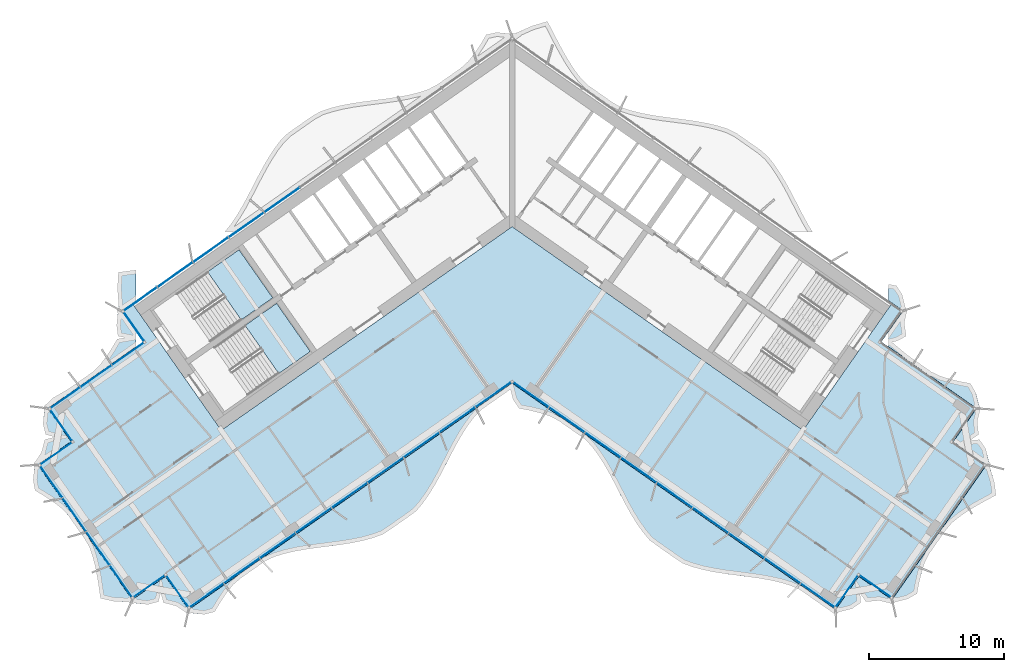
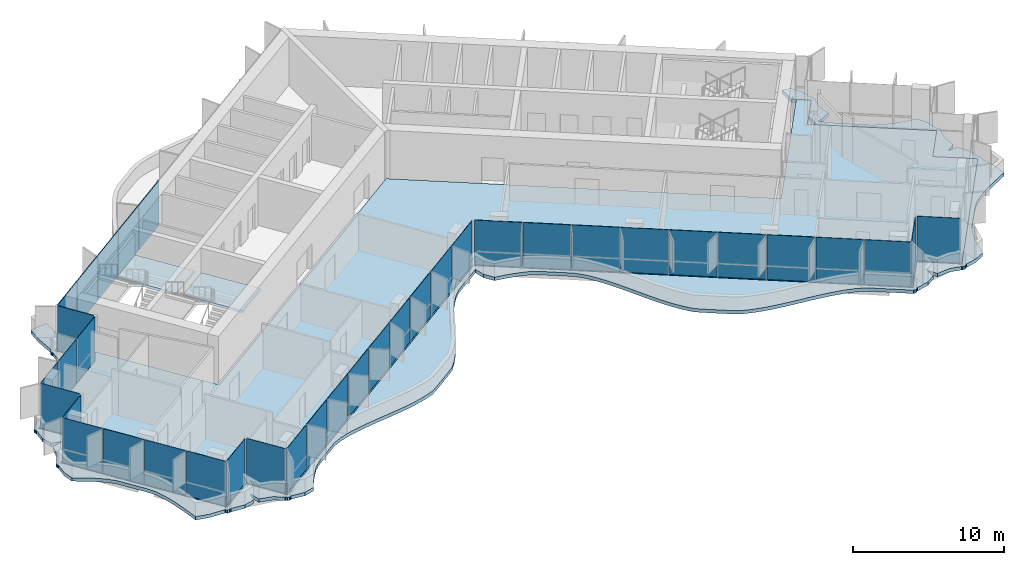
# One storey, part 10 of 21: 37 plates, 4 slabs, 4 elements without a shape of their own.
"""IFC4 building model written with IfcOpenShell, lengths in metres."""

from ifc_helpers import new_model, si_unit, direction, frame, origin, origin_2d, place, context, subcontext, project, spatial, polyline, rectangle, outline, extrude, material, layer, layer_set, type_object, element, aggregate, save


model = new_model("IFC4")

# Units and contexts
model_context = context("Model", 3, precision=1e-05, world=origin(), true_north=direction((0.0, 1.0)))
body_context = subcontext(model_context, "Body", "Model", "MODEL_VIEW")
ifc_project = project(units=[si_unit("LENGTHUNIT", "METRE"), si_unit("AREAUNIT", "SQUARE_METRE"), si_unit("VOLUMEUNIT", "CUBIC_METRE"), si_unit("PLANEANGLEUNIT", "RADIAN"), si_unit("MASSUNIT", "GRAM", prefix="KILO")], contexts=[model_context])

# Site, building, storey
site_placement = place(None, origin())
site = spatial("IfcSite", under=ifc_project, at=site_placement, CompositionType="ELEMENT")
building_placement = place(site_placement, origin())
building = spatial("IfcBuilding", under=site, at=building_placement, Name="Tel Ilan Convention Tower", CompositionType="ELEMENT")
storey_placement = place(building_placement, frame((0.0, 0.0, 210.0)))
storey = spatial("IfcBuildingStorey", under=building, at=storey_placement, Name="L49", CompositionType="ELEMENT", Elevation=210.0)

# Curtain wall, plates
ifc_material_1 = material(Name="Aluminium, bronze anodised", Category="aluminium")
curtain_wall_type_1 = type_object("IfcCurtainWallType", Name="CW4 STICK CURTAIN WALL, OFFICE TINTED GLASS", PredefinedType="NOTDEFINED", material=ifc_material_1)
curtain_wall_1_placement = place(storey_placement, origin())
curtain_wall_1 = element("IfcCurtainWall", 1, at=curtain_wall_1_placement, inside=storey, type_object=curtain_wall_type_1, Name="Curtain wall CW4-38.02", PredefinedType="NOTDEFINED")
ifc_material_2 = material(Name="Glass, bronze tinted, two-ply", Category="glass")
ifc_layer_1 = layer(ifc_material_2, 0.028076171875)
ifc_layer_set_1 = layer_set([ifc_layer_1], Name="CW GLASS PANEL 28")
plate_type_1 = type_object("IfcPlateType", Name="CW GLASS PANEL 28", PredefinedType="CURTAIN_PANEL", material=ifc_layer_set_1)
plate_1_placement = place(storey_placement, frame((-28.457763671875, -10.6484375, 0.0), z_axis=(0.0, 0.0, 1.0), x_axis=(-0.819152044289, -0.573576436351, 0.0)))
plate_1 = element("IfcPlate", 2, at=plate_1_placement, type_object=plate_type_1, Name="Glass panel", PredefinedType="CURTAIN_PANEL", context=body_context, shape_type="SweptSolid", body=[
    extrude(rectangle(XDim=2.835693359375, YDim=0.028076171875, at=origin_2d()), origin(), (0.0, 0.0, 1.0), 3.6201171875),
])
plate_2_placement = place(storey_placement, frame((-30.81787109375, -12.301025390625, 0.0), z_axis=(0.0, 0.0, 1.0), x_axis=(-0.819152044289, -0.573576436351, 0.0)))
plate_2 = element("IfcPlate", 3, at=plate_2_placement, type_object=plate_type_1, Name="Glass panel", PredefinedType="CURTAIN_PANEL", context=body_context, shape_type="SweptSolid", body=[
    extrude(rectangle(XDim=2.806640625, YDim=0.028076171875, at=origin_2d()), origin(), (0.0, 0.0, 1.0), 3.6201171875),
])
plate_3_placement = place(storey_placement, frame((-33.12744140625, -13.918212890625, 0.0), z_axis=(0.0, 0.0, 1.0), x_axis=(-0.819152044289, -0.573576436351, 0.0)))
plate_3 = element("IfcPlate", 4, at=plate_3_placement, type_object=plate_type_1, Name="Glass panel", PredefinedType="CURTAIN_PANEL", context=body_context, shape_type="SweptSolid", body=[
    extrude(rectangle(XDim=2.712646484375, YDim=0.028076171875, at=origin_2d()), origin(), (0.0, 0.0, 1.0), 3.6201171875),
])
plate_4_placement = place(storey_placement, frame((-33.419921875, -15.9072265625, 0.0), z_axis=(0.0, 0.0, 1.0), x_axis=(0.573576436351, -0.819152044289, 0.0)))
plate_4 = element("IfcPlate", 5, at=plate_4_placement, type_object=plate_type_1, Name="Glass panel", PredefinedType="CURTAIN_PANEL", context=body_context, shape_type="SweptSolid", body=[
    extrude(rectangle(XDim=2.875, YDim=0.028076171875, at=origin_2d()), origin(), (0.0, 0.0, 1.0), 3.6201171875),
])
plate_5_placement = place(storey_placement, frame((-33.7978515625, -18.0498046875, 0.0), z_axis=(0.0, 0.0, 1.0), x_axis=(-0.819152044289, -0.573576436351, 0.0)))
plate_5 = element("IfcPlate", 6, at=plate_5_placement, type_object=plate_type_1, Name="Glass panel", PredefinedType="CURTAIN_PANEL", context=body_context, shape_type="SweptSolid", body=[
    extrude(rectangle(XDim=2.875, YDim=0.028076171875, at=origin_2d()), origin(), (0.0, 0.0, 1.0), 3.6201171875),
])
plate_6_placement = place(storey_placement, frame((-34.150634765625, -20.093994140625, 0.0), z_axis=(0.0, 0.0, 1.0), x_axis=(0.573576436351, -0.819152044289, 0.0)))
plate_6 = element("IfcPlate", 7, at=plate_6_placement, type_object=plate_type_1, Name="Glass panel", PredefinedType="CURTAIN_PANEL", context=body_context, shape_type="SweptSolid", body=[
    extrude(rectangle(XDim=2.89599609375, YDim=0.028076171875, at=origin_2d()), origin(), (0.0, 0.0, 1.0), 3.6201171875),
])
plate_7_placement = place(storey_placement, frame((-32.42822265625, -22.553955078125, 0.0), z_axis=(0.0, 0.0, 1.0), x_axis=(0.573576436351, -0.819152044289, 0.0)))
plate_7 = element("IfcPlate", 8, at=plate_7_placement, type_object=plate_type_1, Name="Glass panel", PredefinedType="CURTAIN_PANEL", context=body_context, shape_type="SweptSolid", body=[
    extrude(rectangle(XDim=2.989990234375, YDim=0.028076171875, at=origin_2d()), origin(), (0.0, 0.0, 1.0), 3.6201171875),
])
plate_8_placement = place(storey_placement, frame((-30.6787109375, -25.05224609375, 0.0), z_axis=(0.0, 0.0, 1.0), x_axis=(0.573576436351, -0.819152044289, 0.0)))
plate_8 = element("IfcPlate", 9, at=plate_8_placement, type_object=plate_type_1, Name="Glass panel", PredefinedType="CURTAIN_PANEL", context=body_context, shape_type="SweptSolid", body=[
    extrude(rectangle(XDim=2.989990234375, YDim=0.028076171875, at=origin_2d()), origin(), (0.0, 0.0, 1.0), 3.6201171875),
])
plate_9_placement = place(storey_placement, frame((-28.956298828125, -27.51220703125, 0.0), z_axis=(0.0, 0.0, 1.0), x_axis=(0.573576436351, -0.819152044289, 0.0)))
plate_9 = element("IfcPlate", 10, at=plate_9_placement, type_object=plate_type_1, Name="Glass panel", PredefinedType="CURTAIN_PANEL", context=body_context, shape_type="SweptSolid", body=[
    extrude(rectangle(XDim=2.89599609375, YDim=0.028076171875, at=origin_2d()), origin(), (0.0, 0.0, 1.0), 3.6201171875),
])
plate_10_placement = place(storey_placement, frame((-26.914794921875, -27.879638671875, 0.0), z_axis=(0.0, 0.0, 1.0), x_axis=(0.819152044289, 0.573576436351, 0.0)))
plate_10 = element("IfcPlate", 11, at=plate_10_placement, type_object=plate_type_1, Name="Glass panel", PredefinedType="CURTAIN_PANEL", context=body_context, shape_type="SweptSolid", body=[
    extrude(rectangle(XDim=2.875, YDim=0.028076171875, at=origin_2d()), origin(), (0.0, 0.0, 1.0), 3.6201171875),
])
plate_11_placement = place(storey_placement, frame((-24.772216796875, -28.257568359375, 0.0), z_axis=(0.0, 0.0, 1.0), x_axis=(0.573576436351, -0.819152044289, 0.0)))
plate_11 = element("IfcPlate", 12, at=plate_11_placement, type_object=plate_type_1, Name="Glass panel", PredefinedType="CURTAIN_PANEL", context=body_context, shape_type="SweptSolid", body=[
    extrude(rectangle(XDim=2.875, YDim=0.028076171875, at=origin_2d()), origin(), (0.0, 0.0, 1.0), 3.6201171875),
])
plate_12_placement = place(storey_placement, frame((-22.646240234375, -28.55322265625, 0.0), z_axis=(0.0, 0.0, 1.0), x_axis=(0.819152044289, 0.573576436351, 0.0)))
plate_12 = element("IfcPlate", 13, at=plate_12_placement, type_object=plate_type_1, Name="Glass panel", PredefinedType="CURTAIN_PANEL", context=body_context, shape_type="SweptSolid", body=[
    extrude(rectangle(XDim=3.095703125, YDim=0.028076171875, at=origin_2d()), origin(), (0.0, 0.0, 1.0), 3.6201171875),
])
plate_13_placement = place(storey_placement, frame((-20.022705078125, -26.716064453125, 0.0), z_axis=(0.0, 0.0, 1.0), x_axis=(0.819152044289, 0.573576436351, 0.0)))
plate_13 = element("IfcPlate", 14, at=plate_13_placement, type_object=plate_type_1, Name="Glass panel", PredefinedType="CURTAIN_PANEL", context=body_context, shape_type="SweptSolid", body=[
    extrude(rectangle(XDim=3.189697265625, YDim=0.028076171875, at=origin_2d()), origin(), (0.0, 0.0, 1.0), 3.6201171875),
])
plate_14_placement = place(storey_placement, frame((-17.360595703125, -24.85205078125, 0.0), z_axis=(0.0, 0.0, 1.0), x_axis=(0.819152044289, 0.573576436351, 0.0)))
plate_14 = element("IfcPlate", 15, at=plate_14_placement, type_object=plate_type_1, Name="Glass panel", PredefinedType="CURTAIN_PANEL", context=body_context, shape_type="SweptSolid", body=[
    extrude(rectangle(XDim=3.189697265625, YDim=0.028076171875, at=origin_2d()), origin(), (0.0, 0.0, 1.0), 3.6201171875),
])
plate_15_placement = place(storey_placement, frame((-14.69873046875, -22.988037109375, 0.0), z_axis=(0.0, 0.0, 1.0), x_axis=(0.819152044289, 0.573576436351, 0.0)))
plate_15 = element("IfcPlate", 16, at=plate_15_placement, type_object=plate_type_1, Name="Glass panel", PredefinedType="CURTAIN_PANEL", context=body_context, shape_type="SweptSolid", body=[
    extrude(rectangle(XDim=3.189697265625, YDim=0.028076171875, at=origin_2d()), origin(), (0.0, 0.0, 1.0), 3.6201171875),
])
plate_16_placement = place(storey_placement, frame((-12.03662109375, -21.124267578125, 0.0), z_axis=(0.0, 0.0, 1.0), x_axis=(0.819152044289, 0.573576436351, 0.0)))
plate_16 = element("IfcPlate", 17, at=plate_16_placement, type_object=plate_type_1, Name="Glass panel", PredefinedType="CURTAIN_PANEL", context=body_context, shape_type="SweptSolid", body=[
    extrude(rectangle(XDim=3.189697265625, YDim=0.028076171875, at=origin_2d()), origin(), (0.0, 0.0, 1.0), 3.6201171875),
])
plate_17_placement = place(storey_placement, frame((-9.37451171875, -19.26025390625, 0.0), z_axis=(0.0, 0.0, 1.0), x_axis=(0.819152044289, 0.573576436351, 0.0)))
plate_17 = element("IfcPlate", 18, at=plate_17_placement, type_object=plate_type_1, Name="Glass panel", PredefinedType="CURTAIN_PANEL", context=body_context, shape_type="SweptSolid", body=[
    extrude(rectangle(XDim=3.189697265625, YDim=0.028076171875, at=origin_2d()), origin(), (0.0, 0.0, 1.0), 3.6201171875),
])
plate_18_placement = place(storey_placement, frame((-6.71240234375, -17.396240234375, 0.0), z_axis=(0.0, 0.0, 1.0), x_axis=(0.819152044289, 0.573576436351, 0.0)))
plate_18 = element("IfcPlate", 19, at=plate_18_placement, type_object=plate_type_1, Name="Glass panel", PredefinedType="CURTAIN_PANEL", context=body_context, shape_type="SweptSolid", body=[
    extrude(rectangle(XDim=3.189697265625, YDim=0.028076171875, at=origin_2d()), origin(), (0.0, 0.0, 1.0), 3.6201171875),
])
plate_19_placement = place(storey_placement, frame((-4.050537109375, -15.5322265625, 0.0), z_axis=(0.0, 0.0, 1.0), x_axis=(0.819152044289, 0.573576436351, 0.0)))
plate_19 = element("IfcPlate", 20, at=plate_19_placement, type_object=plate_type_1, Name="Glass panel", PredefinedType="CURTAIN_PANEL", context=body_context, shape_type="SweptSolid", body=[
    extrude(rectangle(XDim=3.189697265625, YDim=0.028076171875, at=origin_2d()), origin(), (0.0, 0.0, 1.0), 3.6201171875),
])
plate_20_placement = place(storey_placement, frame((-1.388671875, -13.66845703125, 0.0), z_axis=(0.0, 0.0, 1.0), x_axis=(0.819152044289, 0.573576436351, 0.0)))
plate_20 = element("IfcPlate", 21, at=plate_20_placement, type_object=plate_type_1, Name="Glass panel", PredefinedType="CURTAIN_PANEL", context=body_context, shape_type="SweptSolid", body=[
    extrude(rectangle(XDim=3.188720703125, YDim=0.028076171875, at=origin_2d()), origin(), (0.0, 0.0, 1.0), 3.6201171875),
])
plate_21_placement = place(storey_placement, frame((1.400390625, -13.676513671875, 0.0), z_axis=(0.0, 0.0, 1.0), x_axis=(0.819152044289, -0.573576436351, 0.0)))
plate_21 = element("IfcPlate", 22, at=plate_21_placement, type_object=plate_type_1, Name="Glass panel", PredefinedType="CURTAIN_PANEL", context=body_context, shape_type="SweptSolid", body=[
    extrude(rectangle(XDim=3.16064453125, YDim=0.028076171875, at=origin_2d()), origin(), (0.0, 0.0, 1.0), 3.6201171875),
])
plate_22_placement = place(storey_placement, frame((4.050537109375, -15.5322265625, 0.0), z_axis=(0.0, 0.0, 1.0), x_axis=(0.819152044289, -0.573576436351, 0.0)))
plate_22 = element("IfcPlate", 23, at=plate_22_placement, type_object=plate_type_1, Name="Glass panel", PredefinedType="CURTAIN_PANEL", context=body_context, shape_type="SweptSolid", body=[
    extrude(rectangle(XDim=3.189697265625, YDim=0.028076171875, at=origin_2d()), origin(), (0.0, 0.0, 1.0), 3.6201171875),
])
plate_23_placement = place(storey_placement, frame((6.71240234375, -17.396240234375, 0.0), z_axis=(0.0, 0.0, 1.0), x_axis=(0.819152044289, -0.573576436351, 0.0)))
plate_23 = element("IfcPlate", 24, at=plate_23_placement, type_object=plate_type_1, Name="Glass panel", PredefinedType="CURTAIN_PANEL", context=body_context, shape_type="SweptSolid", body=[
    extrude(rectangle(XDim=3.189697265625, YDim=0.028076171875, at=origin_2d()), origin(), (0.0, 0.0, 1.0), 3.6201171875),
])
plate_24_placement = place(storey_placement, frame((9.37451171875, -19.26025390625, 0.0), z_axis=(0.0, 0.0, 1.0), x_axis=(0.819152044289, -0.573576436351, 0.0)))
plate_24 = element("IfcPlate", 25, at=plate_24_placement, type_object=plate_type_1, Name="Glass panel", PredefinedType="CURTAIN_PANEL", context=body_context, shape_type="SweptSolid", body=[
    extrude(rectangle(XDim=3.189697265625, YDim=0.028076171875, at=origin_2d()), origin(), (0.0, 0.0, 1.0), 3.6201171875),
])
plate_25_placement = place(storey_placement, frame((12.03662109375, -21.124267578125, 0.0), z_axis=(0.0, 0.0, 1.0), x_axis=(0.819152044289, -0.573576436351, 0.0)))
plate_25 = element("IfcPlate", 26, at=plate_25_placement, type_object=plate_type_1, Name="Glass panel", PredefinedType="CURTAIN_PANEL", context=body_context, shape_type="SweptSolid", body=[
    extrude(rectangle(XDim=3.189697265625, YDim=0.028076171875, at=origin_2d()), origin(), (0.0, 0.0, 1.0), 3.6201171875),
])
plate_26_placement = place(storey_placement, frame((14.69873046875, -22.988037109375, 0.0), z_axis=(0.0, 0.0, 1.0), x_axis=(0.819152044289, -0.573576436351, 0.0)))
plate_26 = element("IfcPlate", 27, at=plate_26_placement, type_object=plate_type_1, Name="Glass panel", PredefinedType="CURTAIN_PANEL", context=body_context, shape_type="SweptSolid", body=[
    extrude(rectangle(XDim=3.189697265625, YDim=0.028076171875, at=origin_2d()), origin(), (0.0, 0.0, 1.0), 3.6201171875),
])
plate_27_placement = place(storey_placement, frame((17.360595703125, -24.85205078125, 0.0), z_axis=(0.0, 0.0, 1.0), x_axis=(0.819152044289, -0.573576436351, 0.0)))
plate_27 = element("IfcPlate", 28, at=plate_27_placement, type_object=plate_type_1, Name="Glass panel", PredefinedType="CURTAIN_PANEL", context=body_context, shape_type="SweptSolid", body=[
    extrude(rectangle(XDim=3.189697265625, YDim=0.028076171875, at=origin_2d()), origin(), (0.0, 0.0, 1.0), 3.6201171875),
])
plate_28_placement = place(storey_placement, frame((20.022705078125, -26.716064453125, 0.0), z_axis=(0.0, 0.0, 1.0), x_axis=(0.819152044289, -0.573576436351, 0.0)))
plate_28 = element("IfcPlate", 29, at=plate_28_placement, type_object=plate_type_1, Name="Glass panel", PredefinedType="CURTAIN_PANEL", context=body_context, shape_type="SweptSolid", body=[
    extrude(rectangle(XDim=3.189697265625, YDim=0.028076171875, at=origin_2d()), origin(), (0.0, 0.0, 1.0), 3.6201171875),
])
plate_29_placement = place(storey_placement, frame((22.646240234375, -28.55322265625, 0.0), z_axis=(0.0, 0.0, 1.0), x_axis=(0.819152044289, -0.573576436351, 0.0)))
plate_29 = element("IfcPlate", 30, at=plate_29_placement, type_object=plate_type_1, Name="Glass panel", PredefinedType="CURTAIN_PANEL", context=body_context, shape_type="SweptSolid", body=[
    extrude(rectangle(XDim=3.095703125, YDim=0.028076171875, at=origin_2d()), origin(), (0.0, 0.0, 1.0), 3.6201171875),
])
plate_30_placement = place(storey_placement, frame((24.772216796875, -28.257568359375, 0.0), z_axis=(0.0, 0.0, 1.0), x_axis=(0.573576436351, 0.819152044289, 0.0)))
plate_30 = element("IfcPlate", 31, at=plate_30_placement, type_object=plate_type_1, Name="Glass panel", PredefinedType="CURTAIN_PANEL", context=body_context, shape_type="SweptSolid", body=[
    extrude(rectangle(XDim=2.875, YDim=0.028076171875, at=origin_2d()), origin(), (0.0, 0.0, 1.0), 3.6201171875),
])
plate_31_placement = place(storey_placement, frame((26.914794921875, -27.879638671875, 0.0), z_axis=(0.0, 0.0, 1.0), x_axis=(0.819152044289, -0.573576436351, 0.0)))
plate_31 = element("IfcPlate", 32, at=plate_31_placement, type_object=plate_type_1, Name="Glass panel", PredefinedType="CURTAIN_PANEL", context=body_context, shape_type="SweptSolid", body=[
    extrude(rectangle(XDim=2.875, YDim=0.028076171875, at=origin_2d()), origin(), (0.0, 0.0, 1.0), 3.6201171875),
])
aggregate(curtain_wall_1, [plate_1, plate_2, plate_3, plate_4, plate_5, plate_6, plate_7, plate_8, plate_9, plate_10, plate_11, plate_12, plate_13, plate_14, plate_15, plate_16, plate_17, plate_18, plate_19, plate_20, plate_21, plate_22, plate_23, plate_24, plate_25, plate_26, plate_27, plate_28, plate_29, plate_30, plate_31])

ifc_material_3 = material(Name="Aluminium, bronze anodised", Category="aluminium")
curtain_wall_type_2 = type_object("IfcCurtainWallType", Name="CW2 STICK CURTAIN WALL, SPANDREL PANELS", PredefinedType="NOTDEFINED", material=ifc_material_3)
curtain_wall_2_placement = place(storey_placement, origin())
curtain_wall_2 = element("IfcCurtainWall", 33, at=curtain_wall_2_placement, inside=storey, type_object=curtain_wall_type_2, Name="Curtain wall CW2-38.01", PredefinedType="NOTDEFINED")
ifc_material_4 = material(Name="Aluminium composite panel, bronze anodised", Category="aluminium")
ifc_layer_2 = layer(ifc_material_4, 0.06005859375)
ifc_layer_set_2 = layer_set([ifc_layer_2], Name="CW SPANDREL PANEL 60")
plate_type_2 = type_object("IfcPlateType", Name="CW SPANDREL PANEL 60", PredefinedType="CURTAIN_PANEL", material=ifc_layer_set_2)
plate_32_placement = place(storey_placement, frame((-17.0546875, 0.754150390625, 0.0), z_axis=(0.0, 0.0, 1.0), x_axis=(-0.819152044289, -0.573576436351, 0.0)))
plate_32 = element("IfcPlate", 34, at=plate_32_placement, type_object=plate_type_2, Name="Spandrel panel", PredefinedType="CURTAIN_PANEL", context=body_context, shape_type="SweptSolid", body=[
    extrude(rectangle(XDim=3.15380859375, YDim=0.06005859375, at=origin_2d()), origin(), (0.0, 0.0, 1.0), 3.6201171875),
])
plate_33_placement = place(storey_placement, frame((-19.687255859375, -1.089111328125, 0.0), z_axis=(0.0, 0.0, 1.0), x_axis=(-0.819152044289, -0.573576436351, 0.0)))
plate_33 = element("IfcPlate", 35, at=plate_33_placement, type_object=plate_type_2, Name="Spandrel panel", PredefinedType="CURTAIN_PANEL", context=body_context, shape_type="SweptSolid", body=[
    extrude(rectangle(XDim=3.15380859375, YDim=0.06005859375, at=origin_2d()), origin(), (0.0, 0.0, 1.0), 3.6201171875),
])
plate_34_placement = place(storey_placement, frame((-22.31982421875, -2.9326171875, 0.0), z_axis=(0.0, 0.0, 1.0), x_axis=(-0.819152044289, -0.573576436351, 0.0)))
plate_34 = element("IfcPlate", 36, at=plate_34_placement, type_object=plate_type_2, Name="Spandrel panel", PredefinedType="CURTAIN_PANEL", context=body_context, shape_type="SweptSolid", body=[
    extrude(rectangle(XDim=3.15380859375, YDim=0.06005859375, at=origin_2d()), origin(), (0.0, 0.0, 1.0), 3.6201171875),
])
plate_35_placement = place(storey_placement, frame((-24.95263671875, -4.77587890625, 0.0), z_axis=(0.0, 0.0, 1.0), x_axis=(-0.819152044289, -0.573576436351, 0.0)))
plate_35 = element("IfcPlate", 37, at=plate_35_placement, type_object=plate_type_2, Name="Spandrel panel", PredefinedType="CURTAIN_PANEL", context=body_context, shape_type="SweptSolid", body=[
    extrude(rectangle(XDim=3.15380859375, YDim=0.06005859375, at=origin_2d()), origin(), (0.0, 0.0, 1.0), 3.6201171875),
])
plate_36_placement = place(storey_placement, frame((-27.5400390625, -6.587646484375, 0.0), z_axis=(0.0, 0.0, 1.0), x_axis=(-0.819152044289, -0.573576436351, 0.0)))
plate_36 = element("IfcPlate", 38, at=plate_36_placement, type_object=plate_type_2, Name="Spandrel panel", PredefinedType="CURTAIN_PANEL", context=body_context, shape_type="SweptSolid", body=[
    extrude(rectangle(XDim=3.0439453125, YDim=0.06005859375, at=origin_2d()), origin(), (0.0, 0.0, 1.0), 3.6201171875),
])
plate_37_placement = place(storey_placement, frame((-28.033935546875, -8.60546875, 0.0), z_axis=(0.0, 0.0, 1.0), x_axis=(0.573576436351, -0.819152044289, 0.0)))
plate_37 = element("IfcPlate", 39, at=plate_37_placement, type_object=plate_type_2, Name="Spandrel panel", PredefinedType="CURTAIN_PANEL", context=body_context, shape_type="SweptSolid", body=[
    extrude(rectangle(XDim=2.658935546875, YDim=0.06005859375, at=origin_2d()), origin(), (0.0, 0.0, 1.0), 3.6201171875),
])
aggregate(curtain_wall_2, [plate_32, plate_33, plate_34, plate_35, plate_36, plate_37])

# Stair, slab
ifc_material_5 = material(Name="Concrete C40/50", Category="concrete")
stair_type = type_object("IfcStairType", Name="Pressurised Exit Stair 22 risers 177 mm", PredefinedType="HALF_TURN_STAIR", material=ifc_material_5)
stair_1_placement = place(storey_placement, origin())
stair_1 = element("IfcStair", 40, at=stair_1_placement, inside=storey, type_object=stair_type, Name="L49 Pressurised Stair S1", PredefinedType="HALF_TURN_STAIR")
ifc_material_6 = material(Name="Concrete C40/50", Category="concrete")
ifc_layer_3 = layer(ifc_material_6, 0.199951171875)
ifc_layer_set_3 = layer_set([ifc_layer_3], Name="Concrete Stair Landing 200 mm C40/50")
slab_type_1 = type_object("IfcSlabType", Name="Concrete Stair Landing 200 mm", PredefinedType="LANDING", material=ifc_layer_set_3)
slab_1_placement = place(storey_placement, frame((0.0, 0.0, 1.75)))
slab_1 = element("IfcSlab", 41, at=slab_1_placement, type_object=slab_type_1, Name="S1 landing 1", PredefinedType="LANDING", context=body_context, shape_type="SweptSolid", body=[
    extrude(outline(polyline([(-20.066650390625, -8.130126953125), (-17.7314453125, -6.494873046875), (-20.226318359375, -2.931640625), (-22.561767578125, -4.566650390625), (-20.066650390625, -8.130126953125)])), origin(), (0.0, 0.0, 1.0), 0.199951171875),
])
aggregate(stair_1, [slab_1])

stair_2_placement = place(storey_placement, origin())
stair_2 = element("IfcStair", 42, at=stair_2_placement, inside=storey, type_object=stair_type, Name="L49 Pressurised Stair S2", PredefinedType="HALF_TURN_STAIR")
slab_2_placement = place(storey_placement, frame((0.0, 0.0, 1.75)))
slab_2 = element("IfcSlab", 43, at=slab_2_placement, type_object=slab_type_1, Name="S2 landing 1", PredefinedType="LANDING", context=body_context, shape_type="SweptSolid", body=[
    extrude(outline(polyline([(-17.28466796875, -12.10302734375), (-14.949462890625, -10.4677734375), (-17.444580078125, -6.904541015625), (-19.77978515625, -8.53955078125), (-17.28466796875, -12.10302734375)])), origin(), (0.0, 0.0, 1.0), 0.199951171875),
])
aggregate(stair_2, [slab_2])

# Slabs
ifc_material_7 = material(Name="Concrete C40/50", Category="concrete")
ifc_layer_4 = layer(ifc_material_7, 0.280029296875)
ifc_layer_set_4 = layer_set([ifc_layer_4], Name="Edge Ledge Slab 280 mm C40/50")
slab_type_2 = type_object("IfcSlabType", Name="Edge Ledge Slab 280 mm C40/50", PredefinedType="FLOOR", material=ifc_layer_set_4)
slab_3_placement = place(storey_placement, frame((0.0, 0.0, -0.280029296875)))
element("IfcSlab", 44, at=slab_3_placement, inside=storey, type_object=slab_type_2, Name="L49 edge ledge 1", PredefinedType="FLOOR", context=body_context, shape_type="SweptSolid", body=[
    extrude(outline(polyline([(-29.29443359375, -8.548583984375), (-29.20458984375, -7.631103515625), (-29.199951171875, -7.6279296875), (-29.236083984375, -7.57373046875), (-29.2587890625, -7.458984375), (-29.236083984375, -7.34423828125), (-29.1708984375, -7.246826171875), (-29.127685546875, -7.218017578125), (-29.130859375, -7.21337890625), (-29.231689453125, -5.78515625), (-29.161865234375, -4.60107421875), (-28.33935546875, -4.49169921875), (-27.875, -4.4326171875), (-27.875, -6.7001953125), (-28.958740234375, -7.458984375), (-27.875, -9.007080078125), (-27.875, -10.1181640625), (-34.3974609375, -14.685302734375), (-32.6767578125, -17.142822265625), (-35.13427734375, -18.863525390625), (-28.13671875, -28.857421875), (-25.67919921875, -27.136474609375), (-23.95849609375, -29.593994140625), (0.0, -12.818115234375), (23.95849609375, -29.593994140625), (25.67919921875, -27.136474609375), (28.13671875, -28.857421875), (35.13427734375, -18.863525390625), (32.6767578125, -17.142822265625), (34.3974609375, -14.685302734375), (27.875, -10.1181640625), (27.875, -9.007080078125), (28.958740234375, -7.458984375), (27.875, -6.7001953125), (27.875, -5.485595703125), (28.465576171875, -5.595458984375), (28.894287109375, -6.267333984375), (29.130859375, -7.21337890625), (29.127685546875, -7.218017578125), (29.1708984375, -7.246826171875), (29.236083984375, -7.34423828125), (29.2587890625, -7.458984375), (29.236083984375, -7.57373046875), (29.199951171875, -7.6279296875), (29.20458984375, -7.631103515625), (29.044921875, -8.373779296875), (29.194091796875, -9.332763671875), (28.4912109375, -9.6953125), (28.123291015625, -9.789794921875), (28.18212890625, -9.817626953125), (28.730712890625, -10.28369140625), (29.285888671875, -10.739990234375), (31.047119140625, -11.973388671875), (31.703369140625, -12.285888671875), (32.42138671875, -12.509521484375), (33.172119140625, -12.68701171875), (33.945068359375, -12.832763671875), (34.3369140625, -13.5224609375), (34.569580078125, -14.439697265625), (34.56640625, -14.4443359375), (34.609619140625, -14.473388671875), (34.6748046875, -14.570556640625), (34.697509765625, -14.685302734375), (34.6748046875, -14.80029296875), (34.638671875, -14.854248046875), (34.643310546875, -14.857421875), (34.455322265625, -15.6416015625), (34.5458984375, -16.62060546875), (33.9111328125, -17.059326171875), (34.61181640625, -16.994384765625), (35.066650390625, -17.652587890625), (35.306396484375, -18.617919921875), (35.302978515625, -18.62255859375), (35.346435546875, -18.651611328125), (35.411376953125, -18.748779296875), (35.43408203125, -18.863525390625), (35.411376953125, -18.978515625), (35.375244140625, -19.032470703125), (35.3798828125, -19.03564453125), (35.716796875, -20.147705078125), (35.840576171875, -21.1103515625), (35.13037109375, -21.489013671875), (34.43017578125, -21.875), (33.759033203125, -22.281005859375), (33.1279296875, -22.71533203125), (32.546142578125, -23.18408203125), (32.0869140625, -23.738525390625), (30.85205078125, -25.502197265625), (30.537841796875, -26.158203125), (30.313720703125, -26.877197265625), (30.135498046875, -27.628662109375), (29.989990234375, -28.40283203125), (29.301025390625, -28.79638671875), (28.38232421875, -29.029296875), (28.377685546875, -29.026123046875), (28.3486328125, -29.0693359375), (28.25146484375, -29.134521484375), (28.13671875, -29.1572265625), (28.021728515625, -29.134521484375), (27.9677734375, -29.098388671875), (27.964599609375, -29.10302734375), (27.1806640625, -28.9150390625), (26.201416015625, -29.005615234375), (25.7626953125, -28.370849609375), (25.827392578125, -29.071533203125), (25.169677734375, -29.526611328125), (24.2041015625, -29.76611328125), (24.199462890625, -29.7626953125), (24.17041015625, -29.80615234375), (24.0732421875, -29.87109375), (23.95849609375, -29.89404296875), (23.843505859375, -29.87109375), (23.78955078125, -29.835205078125), (23.786376953125, -29.839599609375), (21.3291015625, -28.119140625), (20.632080078125, -27.80712890625), (19.875244140625, -27.580322265625), (19.084228515625, -27.402587890625), (18.26708984375, -27.26220703125), (17.432861328125, -27.14599609375), (16.591796875, -27.03955078125), (15.75439453125, -26.92822265625), (14.930419921875, -26.79736328125), (14.1298828125, -26.63330078125), (13.361083984375, -26.423583984375), (12.631103515625, -26.15869140625), (12.007080078125, -25.742431640625), (10.778564453125, -24.882080078125), (10.174072265625, -24.437744140625), (9.675537109375, -23.84228515625), (9.2158203125, -23.191162109375), (8.7880859375, -22.494873046875), (8.38330078125, -21.765380859375), (7.9921875, -21.016357421875), (7.6044921875, -20.262451171875), (7.2099609375, -19.5185546875), (6.798583984375, -18.798583984375), (6.36083984375, -18.1162109375), (5.888916015625, -17.48291015625), (5.356689453125, -16.935302734375), (3.513916015625, -15.644775390625), (2.855712890625, -15.277099609375), (2.112060546875, -15.03173828125), (1.331787109375, -14.8388671875), (0.522216796875, -14.687255859375), (0.0673828125, -14.029296875), (-0.12109375, -13.269287109375), (-2.28515625, -14.784423828125), (-2.81689453125, -15.332763671875), (-3.288818359375, -15.96630859375), (-3.726318359375, -16.648681640625), (-4.1376953125, -17.368896484375), (-4.5322265625, -18.11279296875), (-4.919921875, -18.86669921875), (-5.310791015625, -19.61572265625), (-5.7158203125, -20.34521484375), (-6.143798828125, -21.041259765625), (-6.603515625, -21.692138671875), (-7.102294921875, -22.287353515625), (-7.706787109375, -22.7314453125), (-8.935546875, -23.591796875), (-9.559814453125, -24.007568359375), (-10.289794921875, -24.272216796875), (-11.058837890625, -24.481689453125), (-11.859619140625, -24.645751953125), (-12.68359375, -24.776611328125), (-13.52099609375, -24.8876953125), (-14.362060546875, -24.994140625), (-15.1962890625, -25.110595703125), (-16.01318359375, -25.2509765625), (-16.80419921875, -25.428955078125), (-17.560791015625, -25.65576171875), (-18.257568359375, -25.968505859375), (-20.100341796875, -27.2587890625), (-20.6708984375, -27.75146484375), (-21.156005859375, -28.366455078125), (-21.604248046875, -29.03369140625), (-22.0234375, -29.742431640625), (-22.79736328125, -29.94482421875), (-23.786376953125, -29.839599609375), (-23.78955078125, -29.835205078125), (-23.843505859375, -29.87109375), (-23.95849609375, -29.89404296875), (-24.0732421875, -29.87109375), (-24.17041015625, -29.80615234375), (-24.199462890625, -29.7626953125), (-24.2041015625, -29.76611328125), (-24.87646484375, -29.3212890625), (-25.827392578125, -29.071533203125), (-26.022705078125, -28.324951171875), (-26.201416015625, -29.005615234375), (-26.975341796875, -29.2080078125), (-27.964599609375, -29.10302734375), (-27.9677734375, -29.098388671875), (-28.021728515625, -29.134521484375), (-28.13671875, -29.1572265625), (-28.25146484375, -29.134521484375), (-28.3486328125, -29.0693359375), (-28.377685546875, -29.026123046875), (-28.38232421875, -29.029296875), (-29.54248046875, -28.965576171875), (-30.489501953125, -28.75244140625), (-30.602294921875, -27.95556640625), (-30.7255859375, -27.165771484375), (-30.877685546875, -26.396240234375), (-31.06982421875, -25.65478515625), (-31.311279296875, -24.947509765625), (-31.67529296875, -24.326416015625), (-32.91015625, -22.56298828125), (-33.419189453125, -22.043212890625), (-34.018310546875, -21.58642578125), (-34.66357421875, -21.162109375), (-35.341064453125, -20.760498046875), (-35.475341796875, -19.978515625), (-35.3798828125, -19.03564453125), (-35.375244140625, -19.032470703125), (-35.411376953125, -18.978515625), (-35.43408203125, -18.863525390625), (-35.411376953125, -18.748779296875), (-35.346435546875, -18.651611328125), (-35.302978515625, -18.62255859375), (-35.306396484375, -18.617919921875), (-34.861572265625, -17.945556640625), (-34.61181640625, -16.994384765625), (-33.865234375, -16.79931640625), (-34.5458984375, -16.62060546875), (-34.748291015625, -15.8466796875), (-34.643310546875, -14.857421875), (-34.638671875, -14.854248046875), (-34.6748046875, -14.80029296875), (-34.697509765625, -14.685302734375), (-34.6748046875, -14.570556640625), (-34.609619140625, -14.473388671875), (-34.56640625, -14.4443359375), (-34.569580078125, -14.439697265625), (-34.052734375, -13.928466796875), (-33.42724609375, -13.572265625), (-32.808349609375, -13.20654296875), (-31.047119140625, -11.973388671875), (-30.529296875, -11.463623046875), (-30.0732421875, -10.865234375), (-29.649658203125, -10.220703125), (-29.24853515625, -9.544189453125), (-28.642333984375, -9.441650390625), (-29.194091796875, -9.332763671875), (-29.29443359375, -8.548583984375)])), origin(), (0.0, 0.0, 1.0), 0.280029296875),
])
ifc_material_8 = material(Name="Concrete C40/50", Category="concrete")
ifc_layer_5 = layer(ifc_material_8, 0.280029296875)
ifc_layer_set_5 = layer_set([ifc_layer_5], Name="Flat Plate Floor Slab 280 mm C40/50")
slab_type_3 = type_object("IfcSlabType", Name="Flat Plate Floor Slab 280 mm C40/50", PredefinedType="FLOOR", material=ifc_layer_set_5)
slab_4_placement = place(storey_placement, frame((0.0, 0.0, -0.280029296875)))
element("IfcSlab", 45, at=slab_4_placement, inside=storey, type_object=slab_type_3, Name="L49 floor slab", PredefinedType="FLOOR", context=body_context, shape_type="SweptSolid", body=[
    extrude(outline(polyline([(-21.54345703125, -16.3056640625), (0.0, -1.220703125), (21.54345703125, -16.3056640625), (28.1396484375, -6.885498046875), (28.958740234375, -7.458984375), (27.352783203125, -9.752685546875), (34.3974609375, -14.685302734375), (32.6767578125, -17.142822265625), (35.13427734375, -18.863525390625), (28.13671875, -28.857421875), (25.67919921875, -27.136474609375), (23.95849609375, -29.593994140625), (0.0, -12.818115234375), (-23.95849609375, -29.593994140625), (-25.67919921875, -27.136474609375), (-28.13671875, -28.857421875), (-35.13427734375, -18.863525390625), (-32.6767578125, -17.142822265625), (-34.3974609375, -14.685302734375), (-27.352783203125, -9.752685546875), (-28.958740234375, -7.458984375), (-28.1396484375, -6.885498046875), (-21.54345703125, -16.3056640625)])), origin(), (0.0, 0.0, 1.0), 0.280029296875),
])

save(model, "model.ifc")
